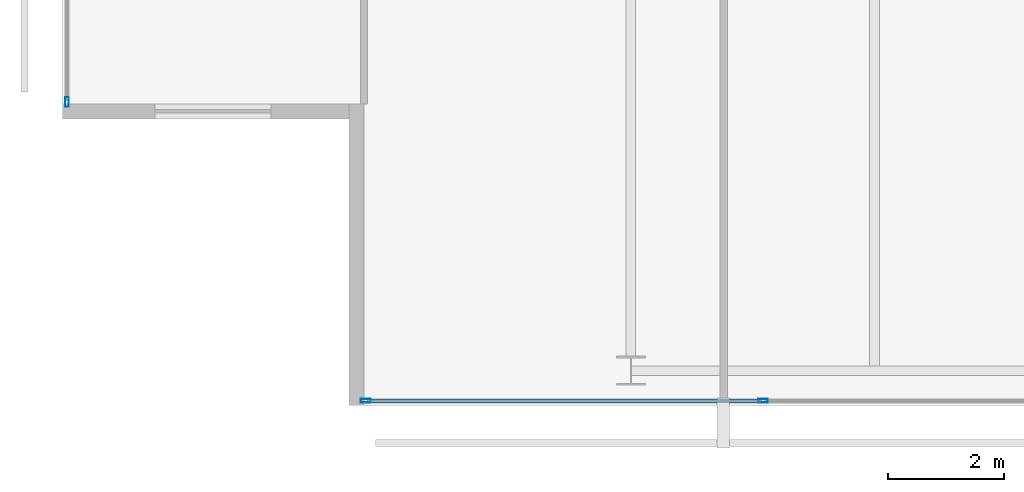
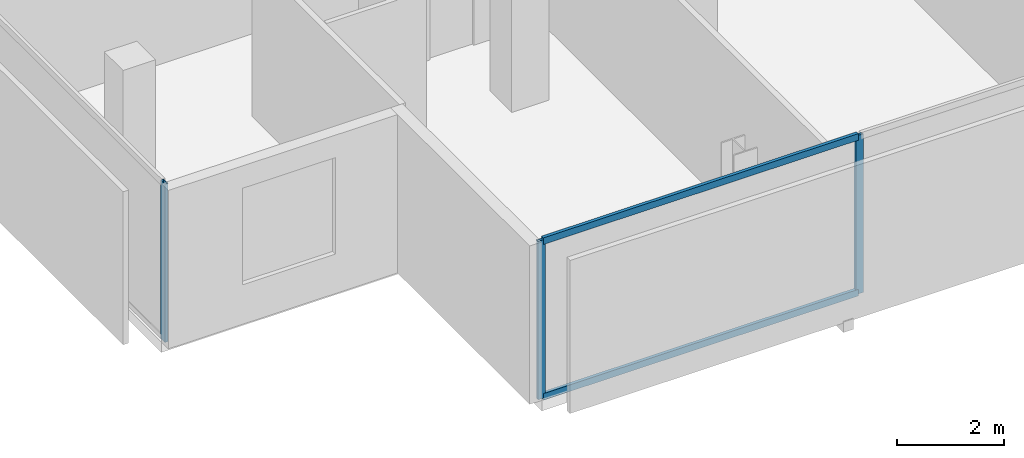
# One storey, part 2 of 26: 5 members, 2 elements without a shape of their own.
"""IFC4 building model written with IfcOpenShell, lengths in metres."""

from ifc_helpers import new_model, si_unit, direction, frame, origin, origin_2d, place, context, subcontext, project, spatial, hollow_rectangle, extrude, material, layer, layer_set, material_profile, profile_set, type_object, element, aggregate, save


model = new_model("IFC4")

# Units and contexts
model_context = context("Model", 3, precision=1e-05, world=origin(), true_north=direction((0.0, 1.0)))
body_context = subcontext(model_context, "Body", "Model", "MODEL_VIEW")
ifc_project = project(units=[si_unit("LENGTHUNIT", "METRE"), si_unit("AREAUNIT", "SQUARE_METRE"), si_unit("VOLUMEUNIT", "CUBIC_METRE"), si_unit("PLANEANGLEUNIT", "RADIAN"), si_unit("MASSUNIT", "GRAM", prefix="KILO")], contexts=[model_context])

# Site, building, storey
site_placement = place(None, origin())
site = spatial("IfcSite", under=ifc_project, at=site_placement, CompositionType="ELEMENT")
building_placement = place(site_placement, origin())
building = spatial("IfcBuilding", under=site, at=building_placement, Name="Maruvema Waterfront Hotel and Observation Tower", CompositionType="ELEMENT")
storey_placement = place(building_placement, frame((0.0, 0.0, 285.60009765625)))
storey = spatial("IfcBuildingStorey", under=building, at=storey_placement, Name="L70", CompositionType="ELEMENT", Elevation=285.60009765625)

# Curtain wall, members
ifc_material_1 = material(Name="Anodised bronze aluminium and solar-control low-E IGU", Category="aluminium")
ifc_layer = layer(ifc_material_1, 0.159912109375, Name="Zone 3 Champagne Inner Thermal Curtain Wall System CW-04")
ifc_layer_set = layer_set([ifc_layer], Name="Anodised bronze aluminium and solar-control low-E IGU")
curtain_wall_type = type_object("IfcCurtainWallType", Name="Zone 3 Champagne Inner Thermal Curtain Wall System CW-04", PredefinedType="USERDEFINED", material=ifc_layer_set)
curtain_wall_1_placement = place(storey_placement, origin())
curtain_wall_1 = element("IfcCurtainWall", 1, at=curtain_wall_1_placement, inside=storey, type_object=curtain_wall_type, Name="L70 Curtain Wall CW-L70-S", ObjectType="UNITISED CURTAIN WALL", PredefinedType="USERDEFINED")
ifc_material_2 = material(Name="Anodised architectural bronze aluminium", Category="aluminium")
ifc_material_profile_1 = material_profile(ifc_material_2, hollow_rectangle(XDim=0.070068359375, YDim=0.14990234375, WallThickness=0.00390625, at=origin_2d()), Name="ALU-T70x150")
ifc_profile_set_1 = profile_set([ifc_material_profile_1], Name="Anodised architectural bronze aluminium")
member_type_1 = type_object("IfcMemberType", Name="Curtain Wall Horizontal Transom ALU-T70x150", PredefinedType="USERDEFINED", material=ifc_profile_set_1)
member_1_placement = place(storey_placement, frame((20.659912109375, 9.280029296875, 0.02978515625), z_axis=(1.0, 0.0, 0.0), x_axis=(0.0, 1.0, 0.0)))
member_1 = element("IfcMember", 2, at=member_1_placement, type_object=member_type_1, Name="CW-04 transom 1.1", ObjectType="TRANSOM", PredefinedType="USERDEFINED", context=body_context, shape_type="SweptSolid", body=[
    extrude(hollow_rectangle(XDim=0.070068359375, YDim=0.14990234375, WallThickness=0.00390625, at=origin_2d()), origin(), (0.0, 0.0, 1.0), 6.7900390625),
])
member_2_placement = place(storey_placement, frame((20.659912109375, 9.280029296875, 3.579833984375), z_axis=(1.0, 0.0, 0.0), x_axis=(0.0, 1.0, 0.0)))
member_2 = element("IfcMember", 3, at=member_2_placement, type_object=member_type_1, Name="CW-04 transom 1.2", ObjectType="TRANSOM", PredefinedType="USERDEFINED", context=body_context, shape_type="SweptSolid", body=[
    extrude(hollow_rectangle(XDim=0.070068359375, YDim=0.14990234375, WallThickness=0.00390625, at=origin_2d()), origin(), (0.0, 0.0, 1.0), 6.7900390625),
])
ifc_material_3 = material(Name="Anodised architectural bronze aluminium", Category="aluminium")
ifc_material_profile_2 = material_profile(ifc_material_3, hollow_rectangle(XDim=0.06494140625, YDim=0.1650390625, WallThickness=0.00390625, at=origin_2d()), Name="ALU-M65x165")
ifc_profile_set_2 = profile_set([ifc_material_profile_2], Name="Anodised architectural bronze aluminium")
member_type_2 = type_object("IfcMemberType", Name="Curtain Wall Primary Mullion ALU-M65x165", PredefinedType="MULLION", material=ifc_profile_set_2)
member_3_placement = place(storey_placement, frame((20.6298828125, 9.280029296875, 0.0), z_axis=(0.0, 0.0, 1.0), x_axis=(0.0, 1.0, 0.0)))
member_3 = element("IfcMember", 4, at=member_3_placement, type_object=member_type_2, Name="CW-04 mullion 1", PredefinedType="MULLION", context=body_context, shape_type="SweptSolid", body=[
    extrude(hollow_rectangle(XDim=0.06494140625, YDim=0.1650390625, WallThickness=0.00390625, at=origin_2d()), origin(), (0.0, 0.0, 1.0), 3.60986328125),
])
member_4_placement = place(storey_placement, frame((27.47998046875, 9.280029296875, 0.0), z_axis=(0.0, 0.0, 1.0), x_axis=(0.0, 1.0, 0.0)))
member_4 = element("IfcMember", 5, at=member_4_placement, type_object=member_type_2, Name="CW-04 mullion 2", PredefinedType="MULLION", context=body_context, shape_type="SweptSolid", body=[
    extrude(hollow_rectangle(XDim=0.06494140625, YDim=0.1650390625, WallThickness=0.00390625, at=origin_2d()), origin(), (0.0, 0.0, 1.0), 3.60986328125),
])
aggregate(curtain_wall_1, [member_3, member_4, member_1, member_2])

# Curtain wall, member
curtain_wall_2_placement = place(storey_placement, origin())
curtain_wall_2 = element("IfcCurtainWall", 6, at=curtain_wall_2_placement, inside=storey, type_object=curtain_wall_type, Name="L70 Curtain Wall CW-L70-W", ObjectType="UNITISED CURTAIN WALL", PredefinedType="USERDEFINED")
member_5_placement = place(storey_placement, frame((15.47998046875, 14.429931640625, 0.0), z_axis=(0.0, 0.0, 1.0), x_axis=(1.0, 0.0, 0.0)))
member_5 = element("IfcMember", 7, at=member_5_placement, type_object=member_type_2, Name="CW-04 mullion 6", PredefinedType="MULLION", context=body_context, shape_type="SweptSolid", body=[
    extrude(hollow_rectangle(XDim=0.06494140625, YDim=0.1650390625, WallThickness=0.00390625, at=origin_2d()), origin(), (0.0, 0.0, 1.0), 3.60986328125),
])
aggregate(curtain_wall_2, [member_5])

save(model, "model.ifc")
